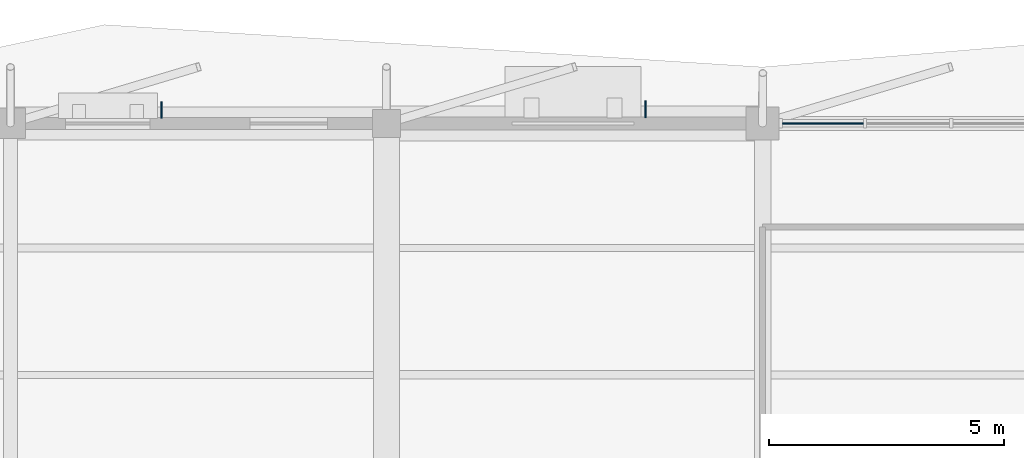
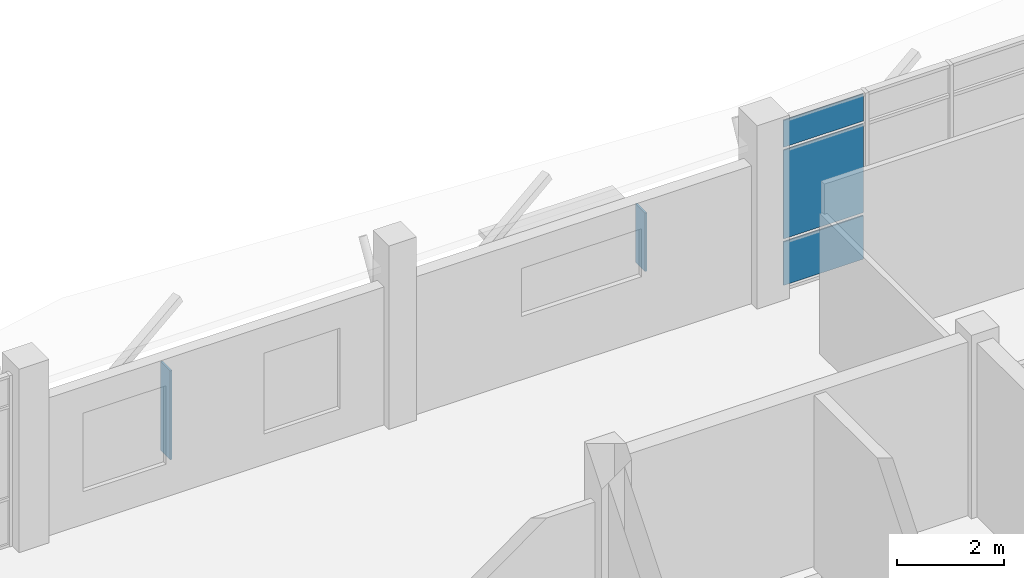
# One storey, part 63 of 84: 5 plates, 1 element without a shape of its own.
"""IFC4 building model written with IfcOpenShell, lengths in metres."""

from ifc_helpers import new_model, si_unit, direction, frame, origin, origin_2d, place, context, subcontext, project, spatial, rectangle, extrude, material, layer, layer_set, type_object, element, aggregate, save


model = new_model("IFC4")

# Units and contexts
model_context = context("Model", 3, precision=1e-05, world=origin(), true_north=direction((0.0, 1.0)))
body_context = subcontext(model_context, "Body", "Model", "MODEL_VIEW")
ifc_project = project(units=[si_unit("LENGTHUNIT", "METRE"), si_unit("AREAUNIT", "SQUARE_METRE"), si_unit("VOLUMEUNIT", "CUBIC_METRE"), si_unit("PLANEANGLEUNIT", "RADIAN"), si_unit("MASSUNIT", "GRAM", prefix="KILO")], contexts=[model_context])

# Site, building, storey
site_placement = place(None, origin())
site = spatial("IfcSite", under=ifc_project, at=site_placement, CompositionType="ELEMENT")
building_placement = place(site_placement, origin())
building = spatial("IfcBuilding", under=site, at=building_placement, Name="Tenunan Teduh Sports Hall", CompositionType="ELEMENT")
storey_placement = place(building_placement, frame((0.0, 0.0, 10.800048828125)))
storey = spatial("IfcBuildingStorey", under=building, at=storey_placement, Name="L02", CompositionType="ELEMENT", Elevation=10.800048828125)

# Curtain wall, plates
ifc_material_1 = material(Name="Anodised aluminium", Category="aluminium")
curtain_wall_type = type_object("IfcCurtainWallType", Name="CW-UNIT-2", PredefinedType="NOTDEFINED", material=ifc_material_1)
curtain_wall_placement = place(storey_placement, origin())
curtain_wall = element("IfcCurtainWall", 1, at=curtain_wall_placement, inside=storey, type_object=curtain_wall_type, Name="CW-CWM-200-L02-216", PredefinedType="NOTDEFINED")
ifc_material_2 = material(Name="Low-E laminated double glazing", Category="glass")
ifc_layer_1 = layer(ifc_material_2, 0.028076171875)
ifc_layer_set_1 = layer_set([ifc_layer_1], Name="Low-E laminated double glazing")
plate_type_1 = type_object("IfcPlateType", Name="CWP-GLZ-28", PredefinedType="CURTAIN_PANEL", material=ifc_layer_set_1)
plate_1_placement = place(storey_placement, frame((39.283203125, 118.0, 1.134765625), z_axis=(0.0, 0.0, 1.0), x_axis=(1.0, 0.0, 0.0)))
plate_1 = element("IfcPlate", 2, at=plate_1_placement, type_object=plate_type_1, Name="CW-02 panel 1.2", PredefinedType="CURTAIN_PANEL", context=body_context, shape_type="SweptSolid", body=[
    extrude(rectangle(XDim=1.726318359375, YDim=0.028076171875, at=origin_2d()), origin(), (0.0, 0.0, 1.0), 2.030029296875),
])
plate_2_placement = place(storey_placement, frame((39.283203125, 118.0, 3.23486328125), z_axis=(0.0, 0.0, 1.0), x_axis=(1.0, 0.0, 0.0)))
plate_2 = element("IfcPlate", 3, at=plate_2_placement, type_object=plate_type_1, Name="CW-02 panel 1.3", PredefinedType="CURTAIN_PANEL", context=body_context, shape_type="SweptSolid", body=[
    extrude(rectangle(XDim=1.726318359375, YDim=0.028076171875, at=origin_2d()), origin(), (0.0, 0.0, 1.0), 0.614990234375),
])
ifc_material_3 = material(Name="Insulated aluminium spandrel panel", Category="aluminium")
ifc_layer_2 = layer(ifc_material_3, 0.044921875)
ifc_layer_set_2 = layer_set([ifc_layer_2], Name="Insulated aluminium spandrel panel")
plate_type_2 = type_object("IfcPlateType", Name="CWP-SPN-45", PredefinedType="CURTAIN_PANEL", material=ifc_layer_set_2)
plate_3_placement = place(storey_placement, frame((39.283203125, 118.0, 0.06982421875), z_axis=(0.0, 0.0, 1.0), x_axis=(1.0, 0.0, 0.0)))
plate_3 = element("IfcPlate", 4, at=plate_3_placement, type_object=plate_type_2, Name="CW-02 panel 1.1", PredefinedType="CURTAIN_PANEL", context=body_context, shape_type="SweptSolid", body=[
    extrude(rectangle(XDim=1.726318359375, YDim=0.028076171875, at=origin_2d()), origin(), (0.0, 0.0, 1.0), 0.9951171875),
])
aggregate(curtain_wall, [plate_3, plate_1, plate_2])

# Plates
ifc_material_4 = material(Name="Anodised aluminium", Category="aluminium")
ifc_layer_3 = layer(ifc_material_4, 1.89990234375)
ifc_layer_set_3 = layer_set([ifc_layer_3], Name="Anodised aluminium")
plate_type_3 = type_object("IfcPlateType", Name="PLT-FIN-1", PredefinedType="SHEET", material=ifc_layer_set_3)
plate_4_placement = place(storey_placement, frame((25.215087890625, 118.284912109375, 0.6298828125), z_axis=(0.0, 0.0, 1.0), x_axis=(1.0, 0.0, 0.0)))
element("IfcPlate", 5, at=plate_4_placement, inside=storey, type_object=plate_type_3, Name="PLT-FIN-L02-046", PredefinedType="SHEET", context=body_context, shape_type="SweptSolid", body=[
    extrude(rectangle(XDim=0.0400390625, YDim=0.360107421875, at=origin_2d()), origin(), (0.0, 0.0, 1.0), 2.0400390625),
])
plate_5_placement = place(storey_placement, frame((35.510009765625, 118.300048828125, 1.330078125), z_axis=(0.0, 0.0, 1.0), x_axis=(1.0, 0.0, 0.0)))
element("IfcPlate", 6, at=plate_5_placement, inside=storey, type_object=plate_type_3, Name="PLT-FIN-L02-047", PredefinedType="SHEET", context=body_context, shape_type="SweptSolid", body=[
    extrude(rectangle(XDim=0.0400390625, YDim=0.360107421875, at=origin_2d()), origin(), (0.0, 0.0, 1.0), 1.340087890625),
])

save(model, "model.ifc")
